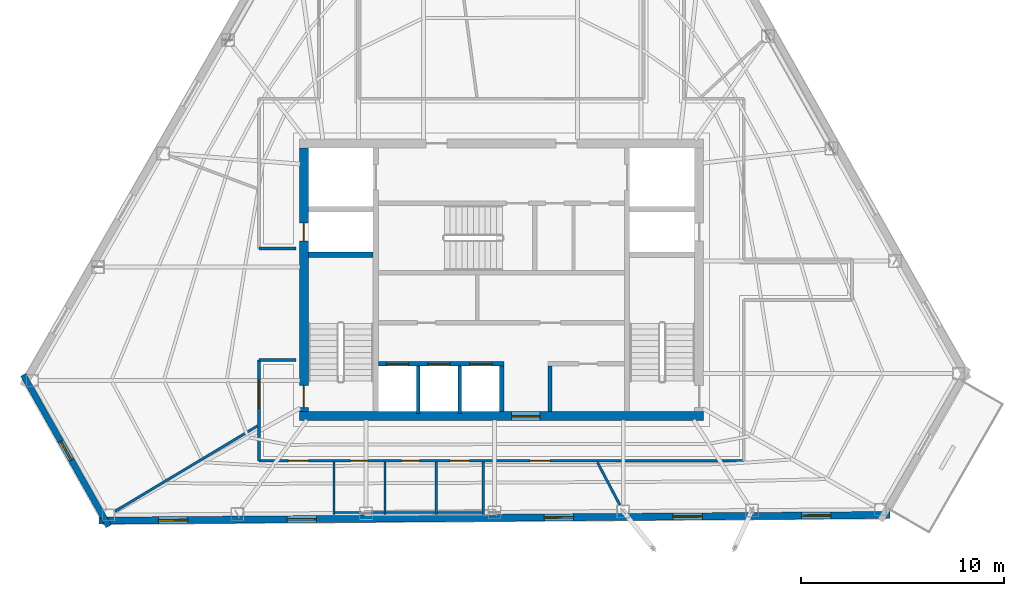
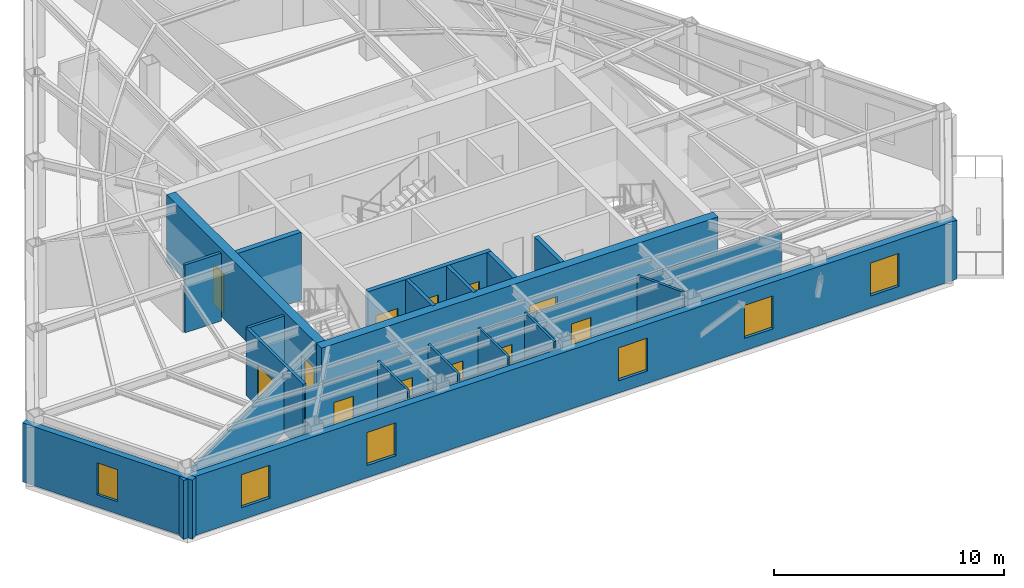
# One storey, part 8 of 12: 21 walls, 12 doors, 6 windows, 18 openings.
"""IFC4 building model written with IfcOpenShell, lengths in metres."""

from ifc_helpers import new_model, si_unit, direction, frame, frame_2d, origin, place, context, subcontext, project, spatial, rectangle, extrude, material, layer, layer_set, type_object, element, fill, save


model = new_model("IFC4")

# Units and contexts
model_context = context("Model", 3, precision=1e-05, world=origin(), true_north=direction((0.0, 1.0)))
body_context = subcontext(model_context, "Body", "Model", "MODEL_VIEW")
ifc_project = project(units=[si_unit("LENGTHUNIT", "METRE"), si_unit("AREAUNIT", "SQUARE_METRE"), si_unit("VOLUMEUNIT", "CUBIC_METRE"), si_unit("PLANEANGLEUNIT", "RADIAN"), si_unit("MASSUNIT", "GRAM", prefix="KILO")], contexts=[model_context])

# Site, building, storey
site_placement = place(None, origin())
site = spatial("IfcSite", under=ifc_project, at=site_placement, CompositionType="ELEMENT")
building_placement = place(site_placement, origin())
building = spatial("IfcBuilding", under=site, at=building_placement, Name="Kavelnor Concourse Tower", CompositionType="ELEMENT")
storey_placement = place(building_placement, frame((0.0, 0.0, 226.60009765625)))
storey = spatial("IfcBuildingStorey", under=building, at=storey_placement, Name="L57", CompositionType="ELEMENT", Elevation=226.60009765625)

# Wall, opening, door
ifc_material_1 = material(Name="Concrete C50/60", Category="concrete")
ifc_layer_1 = layer(ifc_material_1, 0.43994140625, Name="Concrete C50/60")
ifc_layer_set_1 = layer_set([ifc_layer_1], Name="Concrete C50/60")
wall_type_1 = type_object("IfcWallType", Name="WL-CORE-Z3-440", PredefinedType="SOLIDWALL", material=ifc_layer_set_1)
wall_1_placement = place(storey_placement, frame((28.0400390625, 9.3798828125, 0.0), z_axis=(0.0, 0.0, 1.0), x_axis=(1.0, 0.0, 0.0)))
wall_1 = element("IfcWall", 1, at=wall_1_placement, inside=storey, type_object=wall_type_1, Name="L57 Central Core South Shear Wall", PredefinedType="SOLIDWALL", context=body_context, shape_type="SweptSolid", body=[
    extrude(rectangle(XDim=19.919921875, YDim=0.43994140625, at=frame_2d((9.9599609375, 0.0))), origin(), (0.0, 0.0, 1.0), 3.599853515625),
])
opening_1_placement = place(wall_1_placement, frame((10.4599609375, 0.0, 0.0)))
opening_1 = element("IfcOpeningElement", 2, at=opening_1_placement, cuts=wall_1, Name="Opening SD-140", PredefinedType="OPENING", context=body_context, shape_type="SweptSolid", body=[
    extrude(rectangle(XDim=1.39990234375, YDim=2.199951171875, at=frame_2d((0.699951171875, 1.10009765625))), frame((0.0, 0.22998046875, 0.0), z_axis=(0.0, -1.0, 0.0), x_axis=(1.0, 0.0, 0.0)), (0.0, 0.0, 1.0), 0.4599609375),
])
ifc_material_2 = material(Name="Solid-core hardwood timber", Category="wood")
door_type_1 = type_object("IfcDoorType", Name="DR-SUITE-ENTRY-1400", OperationType="NOTDEFINED", PredefinedType="DOOR", material=ifc_material_2)
door_1_placement = place(opening_1_placement, origin())
door_1 = element("IfcDoor", 3, at=door_1_placement, inside=storey, type_object=door_type_1, Name="L57 Passenger Lift Lobby Entry Door", OperationType="SINGLE_SWING_RIGHT", OverallHeight=2.199951171875, OverallWidth=1.39990234375, PredefinedType="DOOR", context=body_context, shape_type="SweptSolid", body=[
    extrude(rectangle(XDim=1.39990234375, YDim=2.199951171875, at=frame_2d((0.699951171875, 1.10009765625))), frame((0.0, 0.02490234375, 0.0), z_axis=(0.0, -1.0, 0.0), x_axis=(1.0, 0.0, 0.0)), (0.0, 0.0, 1.0), 0.050048828125),
])
fill(opening_1, door_1)

# Wall, openings, doors
wall_2_placement = place(storey_placement, frame((28.260009765625, 9.60009765625, 0.0), z_axis=(0.0, 0.0, 1.0), x_axis=(0.0, 1.0, 0.0)))
wall_2 = element("IfcWall", 4, at=wall_2_placement, inside=storey, type_object=wall_type_1, Name="L57 Central Core West Shear Wall", PredefinedType="SOLIDWALL", context=body_context, shape_type="SweptSolid", body=[
    extrude(rectangle(XDim=13.0, YDim=0.43994140625, at=frame_2d((6.5, 0.0))), origin(), (0.0, 0.0, 1.0), 3.599853515625),
])
opening_2_placement = place(wall_2_placement, frame((0.199951171875, 0.0, 0.0)))
opening_2 = element("IfcOpeningElement", 5, at=opening_2_placement, cuts=wall_2, Name="Opening FD-110", PredefinedType="OPENING", context=body_context, shape_type="SweptSolid", body=[
    extrude(rectangle(XDim=1.10009765625, YDim=2.14990234375, at=frame_2d((0.550048828125, 1.074951171875))), frame((0.0, 0.22998046875, 0.0), z_axis=(0.0, -1.0, 0.0), x_axis=(1.0, 0.0, 0.0)), (0.0, 0.0, 1.0), 0.4599609375),
])
opening_3_placement = place(wall_2_placement, frame((8.39990234375, 0.0, 0.0)))
opening_3 = element("IfcOpeningElement", 6, at=opening_3_placement, cuts=wall_2, Name="Opening FD-090", PredefinedType="OPENING", context=body_context, shape_type="SweptSolid", body=[
    extrude(rectangle(XDim=0.89990234375, YDim=2.10009765625, at=frame_2d((0.449951171875, 1.050048828125))), frame((0.0, 0.22998046875, 0.0), z_axis=(0.0, -1.0, 0.0), x_axis=(1.0, 0.0, 0.0)), (0.0, 0.0, 1.0), 0.4599609375),
])
ifc_material_3 = material(Name="Steel Grade 350", Category="steel")
door_type_2 = type_object("IfcDoorType", Name="DR-RISER-FIRE-900", OperationType="NOTDEFINED", PredefinedType="DOOR", material=ifc_material_3)
door_2_placement = place(opening_3_placement, origin())
door_2 = element("IfcDoor", 7, at=door_2_placement, inside=storey, type_object=door_type_2, Name="L57 West Riser Access Door", OperationType="SINGLE_SWING_RIGHT", OverallHeight=2.10009765625, OverallWidth=0.89990234375, PredefinedType="DOOR", context=body_context, shape_type="SweptSolid", body=[
    extrude(rectangle(XDim=0.89990234375, YDim=2.10009765625, at=frame_2d((0.449951171875, 1.050048828125))), frame((0.0, 0.02490234375, 0.0), z_axis=(0.0, -1.0, 0.0), x_axis=(1.0, 0.0, 0.0)), (0.0, 0.0, 1.0), 0.050048828125),
])
fill(opening_3, door_2)
door_type_3 = type_object("IfcDoorType", Name="DR-STAIR-FIRE-1100", OperationType="NOTDEFINED", PredefinedType="DOOR", material=ifc_material_3)
door_3_placement = place(opening_2_placement, origin())
door_3 = element("IfcDoor", 8, at=door_3_placement, inside=storey, type_object=door_type_3, Name="L57 Stair ST1 Fire Door", OperationType="SINGLE_SWING_LEFT", OverallHeight=2.14990234375, OverallWidth=1.10009765625, PredefinedType="DOOR", context=body_context, shape_type="SweptSolid", body=[
    extrude(rectangle(XDim=1.10009765625, YDim=2.14990234375, at=frame_2d((0.550048828125, 1.074951171875))), frame((0.0, 0.02490234375, 0.0), z_axis=(0.0, -1.0, 0.0), x_axis=(1.0, 0.0, 0.0)), (0.0, 0.0, 1.0), 0.050048828125),
])
fill(opening_2, door_3)

# Wall, opening, window
ifc_material_4 = material(Name="Buff ironspot clay face brick masonry", Category="masonry")
ifc_layer_2 = layer(ifc_material_4, 0.300048828125, Name="Buff ironspot clay face brick masonry")
ifc_layer_set_2 = layer_set([ifc_layer_2], Name="Buff ironspot clay face brick masonry")
wall_type_2 = type_object("IfcWallType", Name="WL-EXT-BUFF-BRICK-FOLD-300", PredefinedType="STANDARD", material=ifc_layer_set_2)
wall_3_placement = place(storey_placement, frame((18.64453125, 3.948486328125, 0.0), z_axis=(0.0, 0.0, 1.0), x_axis=(-0.491548081962, 0.870850436711, 0.0)))
wall_3 = element("IfcWall", 9, at=wall_3_placement, inside=storey, type_object=wall_type_2, Name="L57 Exterior Brick Facade Wall E2", PredefinedType="STANDARD", context=body_context, shape_type="SweptSolid", body=[
    extrude(rectangle(XDim=8.58056640625, YDim=0.300048828125, at=frame_2d((4.290283203125, 0.0))), origin(), (0.0, 0.0, 1.0), 3.1318359375),
])
opening_4_placement = place(wall_3_placement, frame((3.765380859375, 0.0, 0.64990234375)))
opening_4 = element("IfcOpeningElement", 10, at=opening_4_placement, cuts=wall_3, Name="Opening W-06", PredefinedType="OPENING", context=body_context, shape_type="SweptSolid", body=[
    extrude(rectangle(XDim=1.050048828125, YDim=1.699951171875, at=frame_2d((0.52490234375, 0.85009765625))), frame((0.0, 0.16015625, 0.0), z_axis=(0.0, -1.0, 0.0), x_axis=(1.0, 0.0, 0.0)), (0.0, 0.0, 1.0), 0.320068359375),
])
ifc_material_5 = material(Name="Double low-E argon insulated glazing", Category="glass")
window_type_1 = type_object("IfcWindowType", Name="WIN-FOLD-1050", PartitioningType="SINGLE_PANEL", PredefinedType="WINDOW", material=ifc_material_5)
window_1_placement = place(opening_4_placement, origin())
window_1 = element("IfcWindow", 11, at=window_1_placement, inside=storey, type_object=window_type_1, Name="L57 Chamfer-Fold Facet Window C1", OverallHeight=1.699951171875, OverallWidth=1.050048828125, PartitioningType="SINGLE_PANEL", PredefinedType="WINDOW", context=body_context, shape_type="SweptSolid", body=[
    extrude(rectangle(XDim=1.050048828125, YDim=1.699951171875, at=frame_2d((0.52490234375, 0.85009765625))), frame((0.0, 0.030029296875, 0.0), z_axis=(0.0, -1.0, 0.0), x_axis=(1.0, 0.0, 0.0)), (0.0, 0.0, 1.0), 0.06005859375),
])
fill(opening_4, window_1)

# Wall, openings, windows
ifc_material_6 = material(Name="Red-ochre clay face brick masonry", Category="masonry")
ifc_layer_3 = layer(ifc_material_6, 0.35009765625, Name="Red-ochre clay face brick masonry")
ifc_layer_set_3 = layer_set([ifc_layer_3], Name="Red-ochre clay face brick masonry")
wall_type_3 = type_object("IfcWallType", Name="WL-EXT-RED-BRICK-PIER-350", PredefinedType="STANDARD", material=ifc_layer_set_3)
wall_4_placement = place(storey_placement, frame((57.15576171875, 4.506591796875, 0.0), z_axis=(0.0, 0.0, 1.0), x_axis=(-0.999974484064, -0.007143614012, 0.0)))
wall_4 = element("IfcWall", 12, at=wall_4_placement, inside=storey, type_object=wall_type_3, Name="L57 Exterior Brick Facade Wall E3", PredefinedType="STANDARD", context=body_context, shape_type="SweptSolid", body=[
    extrude(rectangle(XDim=38.994873046875, YDim=0.35009765625, at=frame_2d((19.49755859375, 0.0))), origin(), (0.0, 0.0, 1.0), 3.1318359375),
])
opening_5_placement = place(wall_4_placement, frame((34.61767578125, 0.0, 0.64990234375)))
opening_5 = element("IfcOpeningElement", 13, at=opening_5_placement, cuts=wall_4, Name="Opening W-03", PredefinedType="OPENING", context=body_context, shape_type="SweptSolid", body=[
    extrude(rectangle(XDim=1.449951171875, YDim=1.75, at=frame_2d((0.72509765625, 0.875))), frame((0.0, 0.18505859375, 0.0), z_axis=(0.0, -1.0, 0.0), x_axis=(1.0, 0.0, 0.0)), (0.0, 0.0, 1.0), 0.3701171875),
])
opening_6_placement = place(wall_4_placement, frame((28.2783203125, 0.0, 0.64990234375)))
opening_6 = element("IfcOpeningElement", 14, at=opening_6_placement, cuts=wall_4, Name="Opening W-03", PredefinedType="OPENING", context=body_context, shape_type="SweptSolid", body=[
    extrude(rectangle(XDim=1.449951171875, YDim=1.75, at=frame_2d((0.72509765625, 0.875))), frame((0.0, 0.18505859375, 0.0), z_axis=(0.0, -1.0, 0.0), x_axis=(1.0, 0.0, 0.0)), (0.0, 0.0, 1.0), 0.3701171875),
])
opening_7_placement = place(wall_4_placement, frame((15.599365234375, 0.0, 0.64990234375)))
opening_7 = element("IfcOpeningElement", 15, at=opening_7_placement, cuts=wall_4, Name="Opening W-03", PredefinedType="OPENING", context=body_context, shape_type="SweptSolid", body=[
    extrude(rectangle(XDim=1.449951171875, YDim=1.75, at=frame_2d((0.72509765625, 0.875))), frame((0.0, 0.18505859375, 0.0), z_axis=(0.0, -1.0, 0.0), x_axis=(1.0, 0.0, 0.0)), (0.0, 0.0, 1.0), 0.3701171875),
])
opening_8_placement = place(wall_4_placement, frame((9.260009765625, 0.0, 0.64990234375)))
opening_8 = element("IfcOpeningElement", 16, at=opening_8_placement, cuts=wall_4, Name="Opening W-03", PredefinedType="OPENING", context=body_context, shape_type="SweptSolid", body=[
    extrude(rectangle(XDim=1.449951171875, YDim=1.75, at=frame_2d((0.72509765625, 0.875))), frame((0.0, 0.18505859375, 0.0), z_axis=(0.0, -1.0, 0.0), x_axis=(1.0, 0.0, 0.0)), (0.0, 0.0, 1.0), 0.3701171875),
])
opening_9_placement = place(wall_4_placement, frame((2.92041015625, 0.0, 0.64990234375)))
opening_9 = element("IfcOpeningElement", 17, at=opening_9_placement, cuts=wall_4, Name="Opening W-03", PredefinedType="OPENING", context=body_context, shape_type="SweptSolid", body=[
    extrude(rectangle(XDim=1.449951171875, YDim=1.75, at=frame_2d((0.72509765625, 0.875))), frame((0.0, 0.18505859375, 0.0), z_axis=(0.0, -1.0, 0.0), x_axis=(1.0, 0.0, 0.0)), (0.0, 0.0, 1.0), 0.3701171875),
])
window_type_2 = type_object("IfcWindowType", Name="WIN-PIER-Z3-1500", PartitioningType="SINGLE_PANEL", PredefinedType="WINDOW", material=ifc_material_5)
window_2_placement = place(opening_5_placement, origin())
window_2 = element("IfcWindow", 18, at=window_2_placement, inside=storey, type_object=window_type_2, Name="L57 Deep-Set Brick Pier Window F1-B0", OverallHeight=1.75, OverallWidth=1.449951171875, PartitioningType="SINGLE_PANEL", PredefinedType="WINDOW", context=body_context, shape_type="SweptSolid", body=[
    extrude(rectangle(XDim=1.449951171875, YDim=1.75, at=frame_2d((0.72509765625, 0.875))), frame((0.0, 0.030029296875, 0.0), z_axis=(0.0, -1.0, 0.0), x_axis=(1.0, 0.0, 0.0)), (0.0, 0.0, 1.0), 0.06005859375),
])
fill(opening_5, window_2)
window_3_placement = place(opening_6_placement, origin())
window_3 = element("IfcWindow", 19, at=window_3_placement, inside=storey, type_object=window_type_2, Name="L57 Deep-Set Brick Pier Window F1-B1", OverallHeight=1.75, OverallWidth=1.449951171875, PartitioningType="SINGLE_PANEL", PredefinedType="WINDOW", context=body_context, shape_type="SweptSolid", body=[
    extrude(rectangle(XDim=1.449951171875, YDim=1.75, at=frame_2d((0.72509765625, 0.875))), frame((0.0, 0.030029296875, 0.0), z_axis=(0.0, -1.0, 0.0), x_axis=(1.0, 0.0, 0.0)), (0.0, 0.0, 1.0), 0.06005859375),
])
fill(opening_6, window_3)
window_4_placement = place(opening_7_placement, origin())
window_4 = element("IfcWindow", 20, at=window_4_placement, inside=storey, type_object=window_type_2, Name="L57 Deep-Set Brick Pier Window F1-B3", OverallHeight=1.75, OverallWidth=1.449951171875, PartitioningType="SINGLE_PANEL", PredefinedType="WINDOW", context=body_context, shape_type="SweptSolid", body=[
    extrude(rectangle(XDim=1.449951171875, YDim=1.75, at=frame_2d((0.72509765625, 0.875))), frame((0.0, 0.030029296875, 0.0), z_axis=(0.0, -1.0, 0.0), x_axis=(1.0, 0.0, 0.0)), (0.0, 0.0, 1.0), 0.06005859375),
])
fill(opening_7, window_4)
window_5_placement = place(opening_8_placement, origin())
window_5 = element("IfcWindow", 21, at=window_5_placement, inside=storey, type_object=window_type_2, Name="L57 Deep-Set Brick Pier Window F1-B4", OverallHeight=1.75, OverallWidth=1.449951171875, PartitioningType="SINGLE_PANEL", PredefinedType="WINDOW", context=body_context, shape_type="SweptSolid", body=[
    extrude(rectangle(XDim=1.449951171875, YDim=1.75, at=frame_2d((0.72509765625, 0.875))), frame((0.0, 0.030029296875, 0.0), z_axis=(0.0, -1.0, 0.0), x_axis=(1.0, 0.0, 0.0)), (0.0, 0.0, 1.0), 0.06005859375),
])
fill(opening_8, window_5)
window_6_placement = place(opening_9_placement, origin())
window_6 = element("IfcWindow", 22, at=window_6_placement, inside=storey, type_object=window_type_2, Name="L57 Deep-Set Brick Pier Window F1-B5", OverallHeight=1.75, OverallWidth=1.449951171875, PartitioningType="SINGLE_PANEL", PredefinedType="WINDOW", context=body_context, shape_type="SweptSolid", body=[
    extrude(rectangle(XDim=1.449951171875, YDim=1.75, at=frame_2d((0.72509765625, 0.875))), frame((0.0, 0.030029296875, 0.0), z_axis=(0.0, -1.0, 0.0), x_axis=(1.0, 0.0, 0.0)), (0.0, 0.0, 1.0), 0.06005859375),
])
fill(opening_9, window_6)

# Wall
ifc_material_7 = material(Name="Gypsum plasterboard on light-gauge steel studs", Category="steel")
ifc_layer_4 = layer(ifc_material_7, 0.14501953125, Name="Gypsum plasterboard on light-gauge steel studs")
ifc_layer_set_4 = layer_set([ifc_layer_4], Name="Gypsum plasterboard on light-gauge steel studs")
wall_type_4 = type_object("IfcWallType", Name="WL-INT-CORR-145", PredefinedType="PARTITIONING", material=ifc_layer_set_4)
wall_5_placement = place(storey_placement, frame((27.8798828125, 17.64990234375, 0.0), z_axis=(0.0, 0.0, 1.0), x_axis=(-1.0, 0.0, 0.0)))
element("IfcWall", 23, at=wall_5_placement, inside=storey, type_object=wall_type_4, Name="L57 Corridor Wall WL-L57-CR-01", PredefinedType="PARTITIONING", context=body_context, shape_type="SweptSolid", body=[
    extrude(rectangle(XDim=1.81982421875, YDim=0.14501953125, at=frame_2d((0.909912109375, 0.0))), origin(), (0.0, 0.0, 1.0), 3.599853515625),
])

# Wall, openings, doors
wall_6_placement = place(storey_placement, frame((49.93994140625, 7.179931640625, 0.0), z_axis=(0.0, 0.0, 1.0), x_axis=(-1.0, 0.0, 0.0)))
wall_6 = element("IfcWall", 24, at=wall_6_placement, inside=storey, type_object=wall_type_4, Name="L57 Corridor Wall WL-L57-CR-17", PredefinedType="PARTITIONING", context=body_context, shape_type="SweptSolid", body=[
    extrude(rectangle(XDim=23.8798828125, YDim=0.14501953125, at=frame_2d((11.93994140625, 0.0))), origin(), (0.0, 0.0, 1.0), 3.3388671875),
])
opening_10_placement = place(wall_6_placement, frame((18.5, 0.0, 0.0)))
opening_10 = element("IfcOpeningElement", 25, at=opening_10_placement, cuts=wall_6, Name="Opening WD-088", PredefinedType="OPENING", context=body_context, shape_type="SweptSolid", body=[
    extrude(rectangle(XDim=0.8798828125, YDim=2.10009765625, at=frame_2d((0.43994140625, 1.050048828125))), frame((0.0, 0.08251953125, 0.0), z_axis=(0.0, -1.0, 0.0), x_axis=(1.0, 0.0, 0.0)), (0.0, 0.0, 1.0), 0.1650390625),
])
opening_11_placement = place(wall_6_placement, frame((15.97998046875, 0.0, 0.0)))
opening_11 = element("IfcOpeningElement", 26, at=opening_11_placement, cuts=wall_6, Name="Opening WD-088", PredefinedType="OPENING", context=body_context, shape_type="SweptSolid", body=[
    extrude(rectangle(XDim=0.8798828125, YDim=2.10009765625, at=frame_2d((0.43994140625, 1.050048828125))), frame((0.0, 0.08251953125, 0.0), z_axis=(0.0, -1.0, 0.0), x_axis=(1.0, 0.0, 0.0)), (0.0, 0.0, 1.0), 0.1650390625),
])
opening_12_placement = place(wall_6_placement, frame((13.52001953125, 0.0, 0.0)))
opening_12 = element("IfcOpeningElement", 27, at=opening_12_placement, cuts=wall_6, Name="Opening WD-096", PredefinedType="OPENING", context=body_context, shape_type="SweptSolid", body=[
    extrude(rectangle(XDim=0.9599609375, YDim=2.10009765625, at=frame_2d((0.47998046875, 1.050048828125))), frame((0.0, 0.08251953125, 0.0), z_axis=(0.0, -1.0, 0.0), x_axis=(1.0, 0.0, 0.0)), (0.0, 0.0, 1.0), 0.1650390625),
])
opening_13_placement = place(wall_6_placement, frame((21.45947265625, 0.0, 0.0)))
opening_13 = element("IfcOpeningElement", 28, at=opening_13_placement, cuts=wall_6, Name="Opening OD-098", PredefinedType="OPENING", context=body_context, shape_type="SweptSolid", body=[
    extrude(rectangle(XDim=0.97998046875, YDim=2.14990234375, at=frame_2d((0.489990234375, 1.074951171875))), frame((0.0, 0.08251953125, 0.0), z_axis=(0.0, -1.0, 0.0), x_axis=(1.0, 0.0, 0.0)), (0.0, 0.0, 1.0), 0.1650390625),
])
opening_14_placement = place(wall_6_placement, frame((9.54931640625, 0.0, 0.0)))
opening_14 = element("IfcOpeningElement", 29, at=opening_14_placement, cuts=wall_6, Name="Opening OD-098", PredefinedType="OPENING", context=body_context, shape_type="SweptSolid", body=[
    extrude(rectangle(XDim=0.97998046875, YDim=2.14990234375, at=frame_2d((0.489990234375, 1.074951171875))), frame((0.0, 0.08251953125, 0.0), z_axis=(0.0, -1.0, 0.0), x_axis=(1.0, 0.0, 0.0)), (0.0, 0.0, 1.0), 0.1650390625),
])
door_type_4 = type_object("IfcDoorType", Name="DR-OFFICE-980", OperationType="NOTDEFINED", PredefinedType="DOOR", material=ifc_material_2)
door_4_placement = place(opening_13_placement, origin())
door_4 = element("IfcDoor", 30, at=door_4_placement, inside=storey, type_object=door_type_4, Name="L57 Workplace Open Office 05 Door", OperationType="SINGLE_SWING_LEFT", OverallHeight=2.14990234375, OverallWidth=0.97998046875, PredefinedType="DOOR", context=body_context, shape_type="SweptSolid", body=[
    extrude(rectangle(XDim=0.97998046875, YDim=2.14990234375, at=frame_2d((0.489990234375, 1.074951171875))), frame((0.0, 0.02490234375, 0.0), z_axis=(0.0, -1.0, 0.0), x_axis=(1.0, 0.0, 0.0)), (0.0, 0.0, 1.0), 0.050048828125),
])
fill(opening_13, door_4)
door_5_placement = place(opening_14_placement, origin())
door_5 = element("IfcDoor", 31, at=door_5_placement, inside=storey, type_object=door_type_4, Name="L57 Workplace Open Office 06 Door", OperationType="SINGLE_SWING_RIGHT", OverallHeight=2.14990234375, OverallWidth=0.97998046875, PredefinedType="DOOR", context=body_context, shape_type="SweptSolid", body=[
    extrude(rectangle(XDim=0.97998046875, YDim=2.14990234375, at=frame_2d((0.489990234375, 1.074951171875))), frame((0.0, 0.02490234375, 0.0), z_axis=(0.0, -1.0, 0.0), x_axis=(1.0, 0.0, 0.0)), (0.0, 0.0, 1.0), 0.050048828125),
])
fill(opening_14, door_5)
door_type_5 = type_object("IfcDoorType", Name="DR-WC-ACC-960", OperationType="NOTDEFINED", PredefinedType="DOOR", material=ifc_material_2)
door_6_placement = place(opening_12_placement, origin())
door_6 = element("IfcDoor", 32, at=door_6_placement, inside=storey, type_object=door_type_5, Name="L57 Accessible WC Door", OperationType="SINGLE_SWING_LEFT", OverallHeight=2.10009765625, OverallWidth=0.9599609375, PredefinedType="DOOR", context=body_context, shape_type="SweptSolid", body=[
    extrude(rectangle(XDim=0.9599609375, YDim=2.10009765625, at=frame_2d((0.47998046875, 1.050048828125))), frame((0.0, 0.02490234375, 0.0), z_axis=(0.0, -1.0, 0.0), x_axis=(1.0, 0.0, 0.0)), (0.0, 0.0, 1.0), 0.050048828125),
])
fill(opening_12, door_6)
door_type_6 = type_object("IfcDoorType", Name="DR-WC-STD-880", OperationType="NOTDEFINED", PredefinedType="DOOR", material=ifc_material_2)
door_7_placement = place(opening_10_placement, origin())
door_7 = element("IfcDoor", 33, at=door_7_placement, inside=storey, type_object=door_type_6, Name="L57 Male WC Door", OperationType="SINGLE_SWING_LEFT", OverallHeight=2.10009765625, OverallWidth=0.8798828125, PredefinedType="DOOR", context=body_context, shape_type="SweptSolid", body=[
    extrude(rectangle(XDim=0.8798828125, YDim=2.10009765625, at=frame_2d((0.43994140625, 1.050048828125))), frame((0.0, 0.02490234375, 0.0), z_axis=(0.0, -1.0, 0.0), x_axis=(1.0, 0.0, 0.0)), (0.0, 0.0, 1.0), 0.050048828125),
])
fill(opening_10, door_7)
door_8_placement = place(opening_11_placement, origin())
door_8 = element("IfcDoor", 34, at=door_8_placement, inside=storey, type_object=door_type_6, Name="L57 Female WC Door", OperationType="SINGLE_SWING_RIGHT", OverallHeight=2.10009765625, OverallWidth=0.8798828125, PredefinedType="DOOR", context=body_context, shape_type="SweptSolid", body=[
    extrude(rectangle(XDim=0.8798828125, YDim=2.10009765625, at=frame_2d((0.43994140625, 1.050048828125))), frame((0.0, 0.02490234375, 0.0), z_axis=(0.0, -1.0, 0.0), x_axis=(1.0, 0.0, 0.0)), (0.0, 0.0, 1.0), 0.050048828125),
])
fill(opening_11, door_8)

# Wall, opening, door
wall_7_placement = place(storey_placement, frame((26.06005859375, 7.179931640625, 0.0), z_axis=(0.0, 0.0, 1.0), x_axis=(0.0, 1.0, 0.0)))
wall_7 = element("IfcWall", 35, at=wall_7_placement, inside=storey, type_object=wall_type_4, Name="L57 Corridor Wall WL-L57-CR-18", PredefinedType="PARTITIONING", context=body_context, shape_type="SweptSolid", body=[
    extrude(rectangle(XDim=4.969970703125, YDim=0.14501953125, at=frame_2d((2.48486328125, 0.0))), origin(), (0.0, 0.0, 1.0), 3.599853515625),
])
opening_15_placement = place(wall_7_placement, frame((2.57666015625, 0.0, 0.0)))
opening_15 = element("IfcOpeningElement", 36, at=opening_15_placement, cuts=wall_7, Name="Opening SD-140", PredefinedType="OPENING", context=body_context, shape_type="SweptSolid", body=[
    extrude(rectangle(XDim=1.39990234375, YDim=2.199951171875, at=frame_2d((0.699951171875, 1.10009765625))), frame((0.0, 0.08251953125, 0.0), z_axis=(0.0, -1.0, 0.0), x_axis=(1.0, 0.0, 0.0)), (0.0, 0.0, 1.0), 0.1650390625),
])
door_9_placement = place(opening_15_placement, origin())
door_9 = element("IfcDoor", 37, at=door_9_placement, inside=storey, type_object=door_type_1, Name="L57 Workplace Open Office 04 Door", OperationType="SINGLE_SWING_RIGHT", OverallHeight=2.199951171875, OverallWidth=1.39990234375, PredefinedType="DOOR", context=body_context, shape_type="SweptSolid", body=[
    extrude(rectangle(XDim=1.39990234375, YDim=2.199951171875, at=frame_2d((0.699951171875, 1.10009765625))), frame((0.0, 0.02490234375, 0.0), z_axis=(0.0, -1.0, 0.0), x_axis=(1.0, 0.0, 0.0)), (0.0, 0.0, 1.0), 0.050048828125),
])
fill(opening_15, door_9)

# Walls
wall_8_placement = place(storey_placement, frame((26.06005859375, 12.14990234375, 0.0), z_axis=(0.0, 0.0, 1.0), x_axis=(1.0, 0.0, 0.0)))
element("IfcWall", 38, at=wall_8_placement, inside=storey, type_object=wall_type_4, Name="L57 Corridor Wall WL-L57-CR-19", PredefinedType="PARTITIONING", context=body_context, shape_type="SweptSolid", body=[
    extrude(rectangle(XDim=1.81982421875, YDim=0.14501953125, at=frame_2d((0.909912109375, 0.0))), origin(), (0.0, 0.0, 1.0), 3.599853515625),
])
ifc_layer_5 = layer(ifc_material_7, 0.1650390625, Name="Gypsum plasterboard on light-gauge steel studs")
ifc_layer_set_5 = layer_set([ifc_layer_5], Name="Gypsum plasterboard on light-gauge steel studs")
wall_type_5 = type_object("IfcWallType", Name="WL-INT-FIRE-165", PredefinedType="PARTITIONING", material=ifc_layer_set_5)
for number, where, z_axis, x_axis, name in (
    (39, (33.89990234375, 9.52001953125, 0.0), (0.0, 0.0, 1.0), (0.0, 1.0, 0.0), "L57 Lift Shaft Divider LP7"),
    (40, (35.949951171875, 9.52001953125, 0.0), (0.0, 0.0, 1.0), (0.0, 1.0, 0.0), "L57 Lift Shaft Divider LP8"),
):
    element("IfcWall", number, at=place(storey_placement, frame(where, z_axis=z_axis, x_axis=x_axis)), inside=storey, type_object=wall_type_5, Name=name, PredefinedType="PARTITIONING", context=body_context, shape_type="SweptSolid", body=[
        extrude(rectangle(XDim=2.320068359375, YDim=0.1650390625, at=frame_2d((1.16015625, 0.0))), origin(), (0.0, 0.0, 1.0), 3.599853515625),
    ])
ifc_layer_6 = layer(ifc_material_7, 0.125, Name="Gypsum plasterboard on light-gauge steel studs")
ifc_layer_set_6 = layer_set([ifc_layer_6], Name="Gypsum plasterboard on light-gauge steel studs")
wall_type_6 = type_object("IfcWallType", Name="WL-INT-SUITE-125", PredefinedType="PARTITIONING", material=ifc_layer_set_6)
wall_9_placement = place(storey_placement, frame((25.9794921875, 8.897705078125, 0.0), z_axis=(0.0, 0.0, 1.0), x_axis=(-0.857802979385, -0.513978646013, 0.0)))
element("IfcWall", 41, at=wall_9_placement, inside=storey, type_object=wall_type_6, Name="L57 Radial Suite Partition 04", PredefinedType="PARTITIONING", context=body_context, shape_type="SweptSolid", body=[
    extrude(rectangle(XDim=8.1943359375, YDim=0.125, at=frame_2d((4.09716796875, 0.0))), origin(), (0.0, 0.0, 1.0), 3.140869140625),
])
wall_10_placement = place(storey_placement, frame((42.7294921875, 7.099609375, 0.0), z_axis=(0.0, 0.0, 1.0), x_axis=(0.465166405425, -0.885223257299, 0.0)))
element("IfcWall", 42, at=wall_10_placement, inside=storey, type_object=wall_type_6, Name="L57 Radial Suite Partition 05", PredefinedType="PARTITIONING", context=body_context, shape_type="SweptSolid", body=[
    extrude(rectangle(XDim=2.359619140625, YDim=0.125, at=frame_2d((1.1796875, 0.0))), origin(), (0.0, 0.0, 1.0), 3.599853515625),
])
ifc_layer_7 = layer(ifc_material_7, 0.110107421875, Name="Gypsum plasterboard on light-gauge steel studs")
ifc_layer_set_7 = layer_set([ifc_layer_7], Name="Gypsum plasterboard on light-gauge steel studs")
wall_type_7 = type_object("IfcWallType", Name="WL-INT-WC-110", PredefinedType="PLUMBINGWALL", material=ifc_layer_set_7)
for number, where, z_axis, x_axis, name in (
    (43, (29.739990234375, 4.530029296875, 0.0), (0.0, 0.0, 1.0), (0.0, 1.0, 0.0), "L57 Sanitary Partition WL-L57-WC-W"),
    (44, (32.260009765625, 4.530029296875, 0.0), (0.0, 0.0, 1.0), (0.0, 1.0, 0.0), "L57 Sanitary Partition WL-L57-WC-D1"),
    (45, (34.780029296875, 4.530029296875, 0.0), (0.0, 0.0, 1.0), (0.0, 1.0, 0.0), "L57 Sanitary Partition WL-L57-WC-D2"),
):
    element("IfcWall", number, at=place(storey_placement, frame(where, z_axis=z_axis, x_axis=x_axis)), inside=storey, type_object=wall_type_7, Name=name, PredefinedType="PLUMBINGWALL", context=body_context, shape_type="SweptSolid", body=[
        extrude(rectangle(XDim=2.580078125, YDim=0.110107421875, at=frame_2d((1.2900390625, 0.0))), origin(), (0.0, 0.0, 1.0), 3.599853515625),
    ])
wall_11_placement = place(storey_placement, frame((37.10009765625, 4.538330078125, 0.0), z_axis=(0.0, 0.0, 1.0), x_axis=(0.0, 1.0, 0.0)))
element("IfcWall", 46, at=wall_11_placement, inside=storey, type_object=wall_type_7, Name="L57 Sanitary Partition WL-L57-WC-E", PredefinedType="PLUMBINGWALL", context=body_context, shape_type="SweptSolid", body=[
    extrude(rectangle(XDim=2.57177734375, YDim=0.110107421875, at=frame_2d((1.285888671875, 0.0))), origin(), (0.0, 0.0, 1.0), 3.599853515625),
])
wall_12_placement = place(storey_placement, frame((29.68994140625, 4.6298828125, 0.0), z_axis=(0.0, 0.0, 1.0), x_axis=(1.0, 0.0, 0.0)))
element("IfcWall", 47, at=wall_12_placement, inside=storey, type_object=wall_type_7, Name="L57 Sanitary Partition WL-L57-WC-S", PredefinedType="PLUMBINGWALL", context=body_context, shape_type="SweptSolid", body=[
    extrude(rectangle(XDim=7.4599609375, YDim=0.110107421875, at=frame_2d((3.72998046875, 0.0))), origin(), (0.0, 0.0, 1.0), 3.135009765625),
])

# Wall, openings, doors
ifc_layer_8 = layer(ifc_material_1, 0.219970703125, Name="Concrete C50/60")
ifc_layer_set_8 = layer_set([ifc_layer_8], Name="Concrete C50/60")
wall_type_8 = type_object("IfcWallType", Name="WL-SHAFT-220", PredefinedType="SOLIDWALL", material=ifc_layer_set_8)
wall_13_placement = place(storey_placement, frame((31.93994140625, 11.949951171875, 0.0), z_axis=(0.0, 0.0, 1.0), x_axis=(1.0, 0.0, 0.0)))
wall_13 = element("IfcWall", 48, at=wall_13_placement, inside=storey, type_object=wall_type_8, Name="L57 High-Rise Lift Bank North Wall", PredefinedType="SOLIDWALL", context=body_context, shape_type="SweptSolid", body=[
    extrude(rectangle(XDim=6.18994140625, YDim=0.219970703125, at=frame_2d((3.094970703125, 0.0))), origin(), (0.0, 0.0, 1.0), 3.599853515625),
])
opening_16_placement = place(wall_13_placement, frame((0.385009765625, 0.0, 0.0)))
opening_16 = element("IfcOpeningElement", 49, at=opening_16_placement, cuts=wall_13, Name="Opening LD-110", PredefinedType="OPENING", context=body_context, shape_type="SweptSolid", body=[
    extrude(rectangle(XDim=1.10009765625, YDim=2.199951171875, at=frame_2d((0.550048828125, 1.10009765625))), frame((0.0, 0.1201171875, 0.0), z_axis=(0.0, -1.0, 0.0), x_axis=(1.0, 0.0, 0.0)), (0.0, 0.0, 1.0), 0.239990234375),
])
opening_17_placement = place(wall_13_placement, frame((2.43505859375, 0.0, 0.0)))
opening_17 = element("IfcOpeningElement", 50, at=opening_17_placement, cuts=wall_13, Name="Opening LD-110", PredefinedType="OPENING", context=body_context, shape_type="SweptSolid", body=[
    extrude(rectangle(XDim=1.10009765625, YDim=2.199951171875, at=frame_2d((0.550048828125, 1.10009765625))), frame((0.0, 0.1201171875, 0.0), z_axis=(0.0, -1.0, 0.0), x_axis=(1.0, 0.0, 0.0)), (0.0, 0.0, 1.0), 0.239990234375),
])
opening_18_placement = place(wall_13_placement, frame((4.485107421875, 0.0, 0.0)))
opening_18 = element("IfcOpeningElement", 51, at=opening_18_placement, cuts=wall_13, Name="Opening LD-110", PredefinedType="OPENING", context=body_context, shape_type="SweptSolid", body=[
    extrude(rectangle(XDim=1.10009765625, YDim=2.199951171875, at=frame_2d((0.550048828125, 1.10009765625))), frame((0.0, 0.1201171875, 0.0), z_axis=(0.0, -1.0, 0.0), x_axis=(1.0, 0.0, 0.0)), (0.0, 0.0, 1.0), 0.239990234375),
])
door_type_7 = type_object("IfcDoorType", Name="DR-LIFT-SLIDING-1100", OperationType="NOTDEFINED", PredefinedType="DOOR", material=ifc_material_3)
door_10_placement = place(opening_16_placement, origin())
door_10 = element("IfcDoor", 52, at=door_10_placement, inside=storey, type_object=door_type_7, Name="L57 Lift LP7 Landing Door", OperationType="DOUBLE_DOOR_SLIDING", OverallHeight=2.199951171875, OverallWidth=1.10009765625, PredefinedType="DOOR", context=body_context, shape_type="SweptSolid", body=[
    extrude(rectangle(XDim=1.10009765625, YDim=2.199951171875, at=frame_2d((0.550048828125, 1.10009765625))), frame((0.0, 0.02490234375, 0.0), z_axis=(0.0, -1.0, 0.0), x_axis=(1.0, 0.0, 0.0)), (0.0, 0.0, 1.0), 0.050048828125),
])
fill(opening_16, door_10)
door_11_placement = place(opening_17_placement, origin())
door_11 = element("IfcDoor", 53, at=door_11_placement, inside=storey, type_object=door_type_7, Name="L57 Lift LP8 Landing Door", OperationType="DOUBLE_DOOR_SLIDING", OverallHeight=2.199951171875, OverallWidth=1.10009765625, PredefinedType="DOOR", context=body_context, shape_type="SweptSolid", body=[
    extrude(rectangle(XDim=1.10009765625, YDim=2.199951171875, at=frame_2d((0.550048828125, 1.10009765625))), frame((0.0, 0.02490234375, 0.0), z_axis=(0.0, -1.0, 0.0), x_axis=(1.0, 0.0, 0.0)), (0.0, 0.0, 1.0), 0.050048828125),
])
fill(opening_17, door_11)
door_12_placement = place(opening_18_placement, origin())
door_12 = element("IfcDoor", 54, at=door_12_placement, inside=storey, type_object=door_type_7, Name="L57 Lift LP9 Landing Door", OperationType="DOUBLE_DOOR_SLIDING", OverallHeight=2.199951171875, OverallWidth=1.10009765625, PredefinedType="DOOR", context=body_context, shape_type="SweptSolid", body=[
    extrude(rectangle(XDim=1.10009765625, YDim=2.199951171875, at=frame_2d((0.550048828125, 1.10009765625))), frame((0.0, 0.02490234375, 0.0), z_axis=(0.0, -1.0, 0.0), x_axis=(1.0, 0.0, 0.0)), (0.0, 0.0, 1.0), 0.050048828125),
])
fill(opening_18, door_12)

# Walls
for number, where, z_axis, x_axis, name in (
    (55, (38.02001953125, 9.60009765625, 0.0), (0.0, 0.0, 1.0), (0.0, 1.0, 0.0), "L57 Lift Lobby Throat West Wall"),
    (56, (40.389892578125, 9.60009765625, 0.0), (0.0, 0.0, 1.0), (0.0, 1.0, 0.0), "L57 Lift Lobby Throat East Wall"),
):
    element("IfcWall", number, at=place(storey_placement, frame(where, z_axis=z_axis, x_axis=x_axis)), inside=storey, type_object=wall_type_8, Name=name, PredefinedType="SOLIDWALL", context=body_context, shape_type="SweptSolid", body=[
        extrude(rectangle(XDim=2.239990234375, YDim=0.219970703125, at=frame_2d((1.1201171875, 0.0))), origin(), (0.0, 0.0, 1.0), 3.599853515625),
    ])
ifc_layer_9 = layer(ifc_material_1, 0.260009765625, Name="Concrete C50/60")
ifc_layer_set_9 = layer_set([ifc_layer_9], Name="Concrete C50/60")
wall_type_9 = type_object("IfcWallType", Name="WL-SHAFT-260", PredefinedType="SHEAR", material=ifc_layer_set_9)
wall_14_placement = place(storey_placement, frame((28.47998046875, 17.330078125, 0.0), z_axis=(0.0, 0.0, 1.0), x_axis=(1.0, 0.0, 0.0)))
element("IfcWall", 57, at=wall_14_placement, inside=storey, type_object=wall_type_9, Name="L57 Stair ST1 North Shaft Wall", PredefinedType="SHEAR", context=body_context, shape_type="SweptSolid", body=[
    extrude(rectangle(XDim=3.199951171875, YDim=0.260009765625, at=frame_2d((1.60009765625, 0.0))), origin(), (0.0, 0.0, 1.0), 3.599853515625),
])

save(model, "model.ifc")
